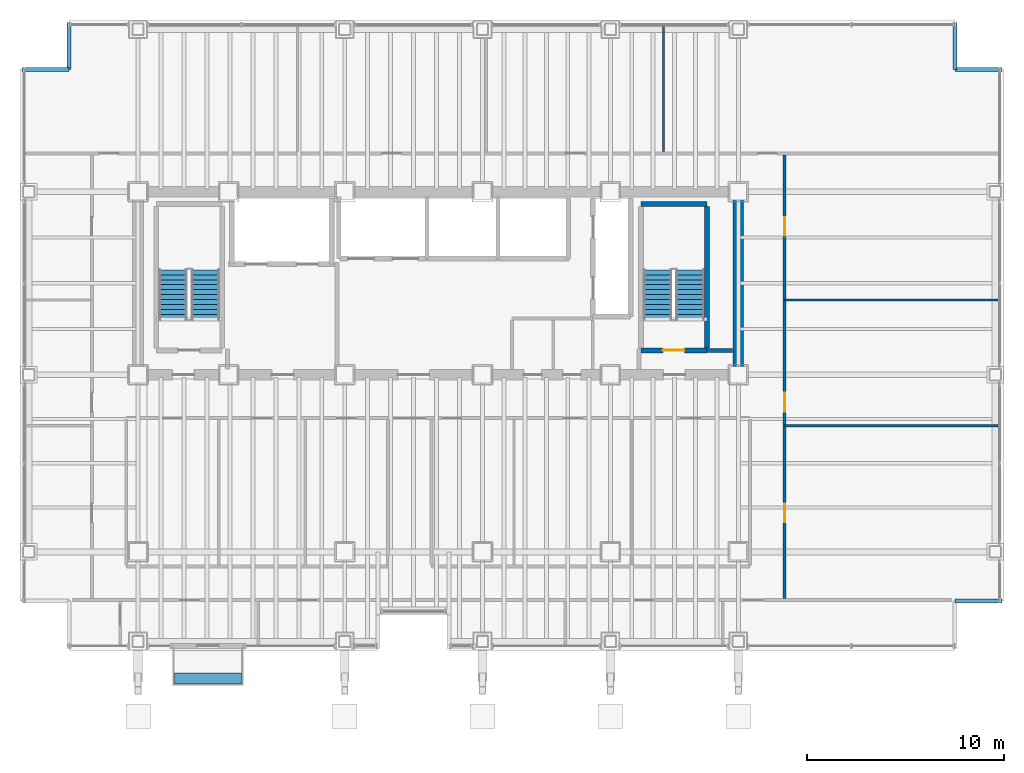
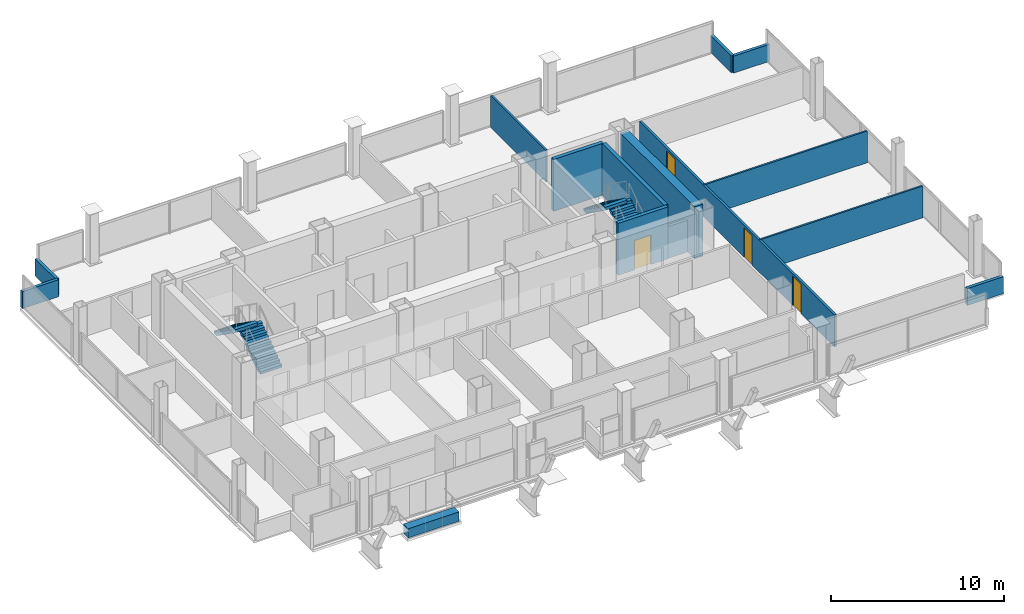
# One storey, part 20 of 21: 14 walls, 4 doors, 4 stair flights, 1 discrete accessory, 4 openings, 2 elements without a shape of their own.
"""IFC4 building model written with IfcOpenShell, lengths in metres."""

from ifc_helpers import new_model, si_unit, direction, frame, frame_2d, origin, origin_2d, place, context, subcontext, project, spatial, polyline, rectangle, outline, extrude, material, layer, layer_set, type_object, element, fill, aggregate, save


model = new_model("IFC4")

# Units and contexts
model_context = context("Model", 3, precision=1e-05, world=origin(), true_north=direction((0.0, 1.0)))
body_context = subcontext(model_context, "Body", "Model", "MODEL_VIEW")
ifc_project = project(units=[si_unit("LENGTHUNIT", "METRE"), si_unit("AREAUNIT", "SQUARE_METRE"), si_unit("VOLUMEUNIT", "CUBIC_METRE"), si_unit("PLANEANGLEUNIT", "RADIAN"), si_unit("MASSUNIT", "GRAM", prefix="KILO")], contexts=[model_context])

# Site, building, storey
site_placement = place(None, origin())
site = spatial("IfcSite", under=ifc_project, at=site_placement, CompositionType="ELEMENT")
building_placement = place(site_placement, origin())
building = spatial("IfcBuilding", under=site, at=building_placement, Name="Noeulbin Bourse Tower", CompositionType="ELEMENT")
storey_placement = place(building_placement, frame((0.0, 0.0, 77.199951171875)))
storey = spatial("IfcBuildingStorey", under=building, at=storey_placement, Name="L19", CompositionType="ELEMENT", Elevation=77.199951171875)

# Walls
ifc_material_1 = material(Name="Concrete C60/75", Category="concrete")
ifc_layer_1 = layer(ifc_material_1, 0.550048828125)
ifc_layer_set_1 = layer_set([ifc_layer_1], Name="Concrete C60/75")
wall_type_1 = type_object("IfcWallType", Name="WAL-CORE-550", PredefinedType="SHEAR", material=ifc_layer_set_1)
wall_1_placement = place(storey_placement, frame((44.0, 29.35009765625, 0.0), z_axis=(0.0, 0.0, 1.0), x_axis=(0.0, 1.0, 0.0)))
element("IfcWall", 1, at=wall_1_placement, inside=storey, type_object=wall_type_1, Name="Rear Core East Shear Wall L19", PredefinedType="SHEAR", context=body_context, shape_type="SweptSolid", body=[
    extrude(rectangle(XDim=8.599853515625, YDim=0.550048828125, at=frame_2d((4.2998046875, 0.0))), origin(), (0.0, 0.0, 1.0), 3.66015625),
])
ifc_material_2 = material(Name="Concrete C40/50", Category="concrete")
ifc_layer_2 = layer(ifc_material_2, 0.199951171875)
ifc_layer_set_2 = layer_set([ifc_layer_2], Name="Concrete C40/50")
wall_type_2 = type_object("IfcWallType", Name="WAL-FIRE-200", PredefinedType="STANDARD", material=ifc_layer_set_2)
wall_2_placement = place(storey_placement, frame((42.39990234375, 30.239990234375, 0.0), z_axis=(0.0, 0.0, 1.0), x_axis=(1.0, 0.0, 0.0)))
element("IfcWall", 2, at=wall_2_placement, inside=storey, type_object=wall_type_2, Name="Interior Partition Wall L19-01", PredefinedType="STANDARD", context=body_context, shape_type="SweptSolid", body=[
    extrude(rectangle(XDim=1.315185546875, YDim=0.199951171875, at=frame_2d((0.65771484375, 0.0))), origin(), (0.0, 0.0, 1.0), 2.239990234375),
])
ifc_layer_3 = layer(ifc_material_2, 0.199951171875)
ifc_layer_set_3 = layer_set([ifc_layer_3], Name="Concrete C40/50")
wall_type_3 = type_object("IfcWallType", Name="WAL-PAR-200", PredefinedType="PARAPET", material=ifc_layer_set_3)
for number, where, z_axis, x_axis, name in (
    (3, (55.0, 17.5, 0.0), (0.0, 0.0, 1.0), (1.0, 0.0, 0.0), "Corner Notch Parapet L19-SE2"),
    (4, (7.60009765625, 44.5, 0.0), (0.0, 0.0, 1.0), (1.0, 0.0, 0.0), "Corner Notch Parapet L19-NW1"),
    (5, (10.0, 44.5, 0.0), (0.0, 0.0, 1.0), (0.0, 1.0, 0.0), "Corner Notch Parapet L19-NW2"),
    (6, (55.0, 46.89990234375, 0.0), (0.0, 0.0, 1.0), (0.0, -1.0, 0.0), "Corner Notch Parapet L19-NE1"),
    (7, (55.0, 44.5, 0.0), (0.0, 0.0, 1.0), (1.0, 0.0, 0.0), "Corner Notch Parapet L19-NE2"),
):
    element("IfcWall", number, at=place(storey_placement, frame(where, z_axis=z_axis, x_axis=x_axis)), inside=storey, type_object=wall_type_3, Name=name, PredefinedType="PARAPET", context=body_context, shape_type="SweptSolid", body=[
        extrude(rectangle(XDim=2.39990234375, YDim=0.199951171875, at=frame_2d((1.199951171875, 0.0))), origin(), (0.0, 0.0, 1.0), 1.199951171875),
    ])
ifc_material_3 = material(Name="Steel Stud Gypsum Partition", Category="steel")
ifc_layer_4 = layer(ifc_material_3, 0.1201171875)
ifc_layer_set_4 = layer_set([ifc_layer_4], Name="Steel Stud Gypsum Partition")
wall_type_4 = type_object("IfcWallType", Name="WAL-PRT-120", PredefinedType="PARTITIONING", material=ifc_layer_set_4)
for number, where, z_axis, x_axis, name in (
    (8, (46.35009765625, 26.39990234375, 0.0), (0.0, 0.0, 1.0), (1.0, 0.0, 0.0), "Interior Partition Wall L19-09"),
    (9, (46.35009765625, 32.800048828125, 0.0), (0.0, 0.0, 1.0), (1.0, 0.0, 0.0), "Interior Partition Wall L19-10"),
):
    element("IfcWall", number, at=place(storey_placement, frame(where, z_axis=z_axis, x_axis=x_axis)), inside=storey, type_object=wall_type_4, Name=name, PredefinedType="PARTITIONING", context=body_context, shape_type="SweptSolid", body=[
        extrude(rectangle(XDim=10.83984375, YDim=0.1201171875, at=frame_2d((5.419921875, 0.0))), origin(), (0.0, 0.0, 1.0), 2.239990234375),
    ])
wall_3_placement = place(storey_placement, frame((40.199951171875, 40.3349609375, 0.0), z_axis=(0.0, 0.0, 1.0), x_axis=(0.0, 1.0, 0.0)))
element("IfcWall", 10, at=wall_3_placement, inside=storey, type_object=wall_type_4, Name="Interior Partition Wall L19-34", PredefinedType="PARTITIONING", context=body_context, shape_type="SweptSolid", body=[
    extrude(rectangle(XDim=6.35498046875, YDim=0.1201171875, at=frame_2d((3.177490234375, 0.0))), origin(), (0.0, 0.0, 1.0), 2.239990234375),
])

# Wall, openings, doors
ifc_material_4 = material(Name="Steel Stud Acoustic Gypsum Board", Category="steel")
ifc_layer_5 = layer(ifc_material_4, 0.14990234375)
ifc_layer_set_5 = layer_set([ifc_layer_5], Name="Steel Stud Acoustic Gypsum Board")
wall_type_5 = type_object("IfcWallType", Name="WAL-PRT-150", PredefinedType="PARTITIONING", material=ifc_layer_set_5)
wall_4_placement = place(storey_placement, frame((46.35009765625, 17.635009765625, 0.0), z_axis=(0.0, 0.0, 1.0), x_axis=(0.0, 1.0, 0.0)))
wall_4 = element("IfcWall", 11, at=wall_4_placement, inside=storey, type_object=wall_type_5, Name="Interior Partition Wall L19-22", PredefinedType="PARTITIONING", context=body_context, shape_type="SweptSolid", body=[
    extrude(rectangle(XDim=22.530029296875, YDim=0.14990234375, at=frame_2d((11.26513671875, 0.0))), origin(), (0.0, 0.0, 1.0), 2.239990234375),
])
opening_1_placement = place(wall_4_placement, frame((3.864990234375, 0.0, 0.0)))
opening_1 = element("IfcOpeningElement", 12, at=opening_1_placement, cuts=wall_4, Name="Opening ID-09", PredefinedType="OPENING", context=body_context, shape_type="SweptSolid", body=[
    extrude(rectangle(XDim=0.949951171875, YDim=2.080078125, at=frame_2d((0.47509765625, 1.0400390625))), frame((0.0, 0.0849609375, 0.0), z_axis=(0.0, -1.0, 0.0), x_axis=(1.0, 0.0, 0.0)), (0.0, 0.0, 1.0), 0.169921875),
])
opening_2_placement = place(wall_4_placement, frame((9.489990234375, 0.0, 0.0)))
opening_2 = element("IfcOpeningElement", 13, at=opening_2_placement, cuts=wall_4, Name="Opening ID-09", PredefinedType="OPENING", context=body_context, shape_type="SweptSolid", body=[
    extrude(rectangle(XDim=0.949951171875, YDim=2.080078125, at=frame_2d((0.47509765625, 1.0400390625))), frame((0.0, 0.0849609375, 0.0), z_axis=(0.0, -1.0, 0.0), x_axis=(1.0, 0.0, 0.0)), (0.0, 0.0, 1.0), 0.169921875),
])
opening_3_placement = place(wall_4_placement, frame((18.4150390625, 0.0, 0.0)))
opening_3 = element("IfcOpeningElement", 14, at=opening_3_placement, cuts=wall_4, Name="Opening ID-09", PredefinedType="OPENING", context=body_context, shape_type="SweptSolid", body=[
    extrude(rectangle(XDim=0.949951171875, YDim=2.080078125, at=frame_2d((0.47509765625, 1.0400390625))), frame((0.0, 0.0849609375, 0.0), z_axis=(0.0, -1.0, 0.0), x_axis=(1.0, 0.0, 0.0)), (0.0, 0.0, 1.0), 0.169921875),
])
ifc_material_5 = material(Name="Acoustic Solid-Core Timber", Category="wood")
door_type_1 = type_object("IfcDoorType", Name="DR-SINGLE-950", OperationType="SINGLE_SWING_LEFT", PredefinedType="DOOR", material=ifc_material_5)
door_1_placement = place(opening_1_placement, origin())
door_1 = element("IfcDoor", 15, at=door_1_placement, inside=storey, type_object=door_type_1, Name="Interior Door L19-22", OperationType="SINGLE_SWING_RIGHT", OverallHeight=2.080078125, OverallWidth=0.949951171875, PredefinedType="DOOR", context=body_context, shape_type="SweptSolid", body=[
    extrude(rectangle(XDim=0.949951171875, YDim=2.080078125, at=frame_2d((0.47509765625, 1.0400390625))), frame((0.0, 0.02490234375, 0.0), z_axis=(0.0, -1.0, 0.0), x_axis=(1.0, 0.0, 0.0)), (0.0, 0.0, 1.0), 0.050048828125),
])
fill(opening_1, door_1)
door_2_placement = place(opening_2_placement, origin())
door_2 = element("IfcDoor", 16, at=door_2_placement, inside=storey, type_object=door_type_1, Name="Interior Door L19-23", OperationType="SINGLE_SWING_LEFT", OverallHeight=2.080078125, OverallWidth=0.949951171875, PredefinedType="DOOR", context=body_context, shape_type="SweptSolid", body=[
    extrude(rectangle(XDim=0.949951171875, YDim=2.080078125, at=frame_2d((0.47509765625, 1.0400390625))), frame((0.0, 0.02490234375, 0.0), z_axis=(0.0, -1.0, 0.0), x_axis=(1.0, 0.0, 0.0)), (0.0, 0.0, 1.0), 0.050048828125),
])
fill(opening_2, door_2)
door_3_placement = place(opening_3_placement, origin())
door_3 = element("IfcDoor", 17, at=door_3_placement, inside=storey, type_object=door_type_1, Name="Interior Door L19-24", OperationType="SINGLE_SWING_RIGHT", OverallHeight=2.080078125, OverallWidth=0.949951171875, PredefinedType="DOOR", context=body_context, shape_type="SweptSolid", body=[
    extrude(rectangle(XDim=0.949951171875, YDim=2.080078125, at=frame_2d((0.47509765625, 1.0400390625))), frame((0.0, 0.02490234375, 0.0), z_axis=(0.0, -1.0, 0.0), x_axis=(1.0, 0.0, 0.0)), (0.0, 0.0, 1.0), 0.050048828125),
])
fill(opening_3, door_3)

# Wall, opening, door
ifc_layer_6 = layer(ifc_material_2, 0.25)
ifc_layer_set_6 = layer_set([ifc_layer_6], Name="Concrete C40/50")
wall_type_6 = type_object("IfcWallType", Name="WAL-SHFT-250", PredefinedType="STANDARD", material=ifc_layer_set_6)
wall_5_placement = place(storey_placement, frame((39.06005859375, 30.235107421875, 0.0), z_axis=(0.0, 0.0, 1.0), x_axis=(1.0, 0.0, 0.0)))
wall_5 = element("IfcWall", 18, at=wall_5_placement, inside=storey, type_object=wall_type_6, Name="Stair ST-2 South Shaft Wall L19", PredefinedType="STANDARD", context=body_context, shape_type="SweptSolid", body=[
    extrude(rectangle(XDim=3.33984375, YDim=0.25, at=frame_2d((1.669921875, 0.0))), origin(), (0.0, 0.0, 1.0), 3.66015625),
])
opening_4_placement = place(wall_5_placement, frame((1.10009765625, 0.0, 0.0)))
opening_4 = element("IfcOpeningElement", 19, at=opening_4_placement, cuts=wall_5, Name="Opening FD-11", PredefinedType="OPENING", context=body_context, shape_type="SweptSolid", body=[
    extrude(rectangle(XDim=1.10009765625, YDim=2.080078125, at=frame_2d((0.550048828125, 1.0400390625))), frame((0.0, 0.135009765625, 0.0), z_axis=(0.0, -1.0, 0.0), x_axis=(1.0, 0.0, 0.0)), (0.0, 0.0, 1.0), 0.27001953125),
])
ifc_material_6 = material(Name="Fire-Rated Insulated Steel", Category="steel")
door_type_2 = type_object("IfcDoorType", Name="DR-FD60-1100", OperationType="SINGLE_SWING_LEFT", PredefinedType="DOOR", material=ifc_material_6)
door_4_placement = place(opening_4_placement, origin())
door_4 = element("IfcDoor", 20, at=door_4_placement, inside=storey, type_object=door_type_2, Name="Protected Stair Entry Door ST2-L19", OperationType="SINGLE_SWING_RIGHT", OverallHeight=2.080078125, OverallWidth=1.10009765625, PredefinedType="DOOR", context=body_context, shape_type="SweptSolid", body=[
    extrude(rectangle(XDim=1.10009765625, YDim=2.080078125, at=frame_2d((0.550048828125, 1.0400390625))), frame((0.0, 0.02490234375, 0.0), z_axis=(0.0, -1.0, 0.0), x_axis=(1.0, 0.0, 0.0)), (0.0, 0.0, 1.0), 0.050048828125),
])
fill(opening_4, door_4)

# Walls
wall_6_placement = place(storey_placement, frame((39.06005859375, 37.6689453125, 0.0), z_axis=(0.0, 0.0, 1.0), x_axis=(1.0, 0.0, 0.0)))
element("IfcWall", 21, at=wall_6_placement, inside=storey, type_object=wall_type_6, Name="Stair ST-2 North Shaft Wall L19", PredefinedType="STANDARD", context=body_context, shape_type="SweptSolid", body=[
    extrude(rectangle(XDim=3.33984375, YDim=0.25, at=frame_2d((1.669921875, 0.0))), origin(), (0.0, 0.0, 1.0), 3.66015625),
])
wall_7_placement = place(storey_placement, frame((42.405029296875, 30.360107421875, 0.0), z_axis=(0.0, 0.0, 1.0), x_axis=(0.0, 1.0, 0.0)))
element("IfcWall", 22, at=wall_7_placement, inside=storey, type_object=wall_type_6, Name="Stair ST-2 East Shaft Wall L19", PredefinedType="STANDARD", context=body_context, shape_type="SweptSolid", body=[
    extrude(rectangle(XDim=7.183837890625, YDim=0.25, at=frame_2d((3.591796875, 0.0))), origin(), (0.0, 0.0, 1.0), 3.66015625),
])

# Stair, stair flights
stair_type = type_object("IfcStairType", Name="STR-CORE-1560", PredefinedType="HALF_TURN_STAIR", material=ifc_material_2)
stair_1_placement = place(storey_placement, origin())
stair_1 = element("IfcStair", 23, at=stair_1_placement, inside=storey, type_object=stair_type, Name="L19 ST-1", PredefinedType="HALF_TURN_STAIR")
stair_flight_type = type_object("IfcStairFlightType", Name="SFL-CORE-1560", PredefinedType="STRAIGHT", material=ifc_material_2)
stair_flight_1_placement = place(storey_placement, frame((16.925048828125, 31.81005859375, 0.0), z_axis=(0.0, 0.0, 1.0), x_axis=(0.0, 1.0, 0.0)))
stair_flight_1 = element("IfcStairFlight", 24, at=stair_flight_1_placement, type_object=stair_flight_type, Name="ST-1 flight 1", NumberOfRisers=11, NumberOfTreads=10, PredefinedType="STRAIGHT", RiserHeight=0.177272727, TreadLength=0.252, context=body_context, shape_type="SweptSolid", body=[
    extrude(outline(polyline([(0.0, 0.0), (0.0, 0.17724609375), (0.251953125, 0.17724609375), (0.251953125, 0.3544921875), (0.50390625, 0.3544921875), (0.50390625, 0.53173828125), (0.756103515625, 0.53173828125), (0.756103515625, 0.708984375), (1.008056640625, 0.708984375), (1.008056640625, 0.886474609375), (1.260009765625, 0.886474609375), (1.260009765625, 1.063720703125), (1.511962890625, 1.063720703125), (1.511962890625, 1.240966796875), (1.763916015625, 1.240966796875), (1.763916015625, 1.418212890625), (2.01611328125, 1.418212890625), (2.01611328125, 1.595458984375), (2.26806640625, 1.595458984375), (2.26806640625, 1.772705078125), (2.52001953125, 1.772705078125), (2.52001953125, 1.949951171875), (2.52001953125, 1.552734375), (0.312744140625, 0.0), (0.0, 0.0)])), frame((0.0, 0.72509765625, 0.0), z_axis=(0.0, -1.0, 0.0), x_axis=(1.0, 0.0, 0.0)), (0.0, 0.0, 1.0), 1.449951171875),
])
stair_flight_2_placement = place(storey_placement, frame((15.27490234375, 34.330078125, 1.949951171875), z_axis=(0.0, 0.0, 1.0), x_axis=(0.0, -1.0, 0.0)))
stair_flight_2 = element("IfcStairFlight", 25, at=stair_flight_2_placement, type_object=stair_flight_type, Name="ST-1 flight 2", NumberOfRisers=11, NumberOfTreads=10, PredefinedType="STRAIGHT", RiserHeight=0.177272727, TreadLength=0.252, context=body_context, shape_type="SweptSolid", body=[
    extrude(outline(polyline([(0.0, 0.0), (0.0, 0.17724609375), (0.251953125, 0.17724609375), (0.251953125, 0.3544921875), (0.50390625, 0.3544921875), (0.50390625, 0.53173828125), (0.756103515625, 0.53173828125), (0.756103515625, 0.708984375), (1.008056640625, 0.708984375), (1.008056640625, 0.886474609375), (1.260009765625, 0.886474609375), (1.260009765625, 1.063720703125), (1.511962890625, 1.063720703125), (1.511962890625, 1.240966796875), (1.763916015625, 1.240966796875), (1.763916015625, 1.418212890625), (2.01611328125, 1.418212890625), (2.01611328125, 1.595458984375), (2.26806640625, 1.595458984375), (2.26806640625, 1.772705078125), (2.52001953125, 1.772705078125), (2.52001953125, 1.949951171875), (2.52001953125, 1.552734375), (0.312744140625, 0.0), (0.0, 0.0)])), frame((0.0, 0.72509765625, 0.0), z_axis=(0.0, -1.0, 0.0), x_axis=(1.0, 0.0, 0.0)), (0.0, 0.0, 1.0), 1.449951171875),
])
aggregate(stair_1, [stair_flight_1, stair_flight_2])

stair_2_placement = place(storey_placement, origin())
stair_2 = element("IfcStair", 26, at=stair_2_placement, inside=storey, type_object=stair_type, Name="L19 ST-2", PredefinedType="HALF_TURN_STAIR")
stair_flight_3_placement = place(storey_placement, frame((41.554931640625, 31.81005859375, 0.0), z_axis=(0.0, 0.0, 1.0), x_axis=(0.0, 1.0, 0.0)))
stair_flight_3 = element("IfcStairFlight", 27, at=stair_flight_3_placement, type_object=stair_flight_type, Name="ST-2 flight 1", NumberOfRisers=11, NumberOfTreads=10, PredefinedType="STRAIGHT", RiserHeight=0.177272727, TreadLength=0.252, context=body_context, shape_type="SweptSolid", body=[
    extrude(outline(polyline([(0.0, 0.0), (0.0, 0.17724609375), (0.251953125, 0.17724609375), (0.251953125, 0.3544921875), (0.50390625, 0.3544921875), (0.50390625, 0.53173828125), (0.756103515625, 0.53173828125), (0.756103515625, 0.708984375), (1.008056640625, 0.708984375), (1.008056640625, 0.886474609375), (1.260009765625, 0.886474609375), (1.260009765625, 1.063720703125), (1.511962890625, 1.063720703125), (1.511962890625, 1.240966796875), (1.763916015625, 1.240966796875), (1.763916015625, 1.418212890625), (2.01611328125, 1.418212890625), (2.01611328125, 1.595458984375), (2.26806640625, 1.595458984375), (2.26806640625, 1.772705078125), (2.52001953125, 1.772705078125), (2.52001953125, 1.949951171875), (2.52001953125, 1.552734375), (0.312744140625, 0.0), (0.0, 0.0)])), frame((0.0, 0.72509765625, 0.0), z_axis=(0.0, -1.0, 0.0), x_axis=(1.0, 0.0, 0.0)), (0.0, 0.0, 1.0), 1.449951171875),
])
stair_flight_4_placement = place(storey_placement, frame((39.905029296875, 34.330078125, 1.949951171875), z_axis=(0.0, 0.0, 1.0), x_axis=(0.0, -1.0, 0.0)))
stair_flight_4 = element("IfcStairFlight", 28, at=stair_flight_4_placement, type_object=stair_flight_type, Name="ST-2 flight 2", NumberOfRisers=11, NumberOfTreads=10, PredefinedType="STRAIGHT", RiserHeight=0.177272727, TreadLength=0.252, context=body_context, shape_type="SweptSolid", body=[
    extrude(outline(polyline([(0.0, 0.0), (0.0, 0.17724609375), (0.251953125, 0.17724609375), (0.251953125, 0.3544921875), (0.50390625, 0.3544921875), (0.50390625, 0.53173828125), (0.756103515625, 0.53173828125), (0.756103515625, 0.708984375), (1.008056640625, 0.708984375), (1.008056640625, 0.886474609375), (1.260009765625, 0.886474609375), (1.260009765625, 1.063720703125), (1.511962890625, 1.063720703125), (1.511962890625, 1.240966796875), (1.763916015625, 1.240966796875), (1.763916015625, 1.418212890625), (2.01611328125, 1.418212890625), (2.01611328125, 1.595458984375), (2.26806640625, 1.595458984375), (2.26806640625, 1.772705078125), (2.52001953125, 1.772705078125), (2.52001953125, 1.949951171875), (2.52001953125, 1.552734375), (0.312744140625, 0.0), (0.0, 0.0)])), frame((0.0, 0.72509765625, 0.0), z_axis=(0.0, -1.0, 0.0), x_axis=(1.0, 0.0, 0.0)), (0.0, 0.0, 1.0), 1.449951171875),
])
aggregate(stair_2, [stair_flight_3, stair_flight_4])

# Discrete accessory
ifc_material_7 = material(Name="Architectural GFRC Concrete C40/50", Category="concrete")
ifc_layer_7 = layer(ifc_material_7, 0.64990234375)
ifc_layer_set_7 = layer_set([ifc_layer_7], Name="Architectural GFRC Concrete C40/50")
discrete_accessory_type = type_object("IfcDiscreteAccessoryType", Name="PLANTER-BOX-3600", PredefinedType="USERDEFINED", material=ifc_layer_set_7)
discrete_accessory_placement = place(storey_placement, frame((17.050048828125, 13.56005859375, 0.0), z_axis=(0.0, 0.0, 1.0), x_axis=(1.0, 0.0, 0.0)))
element("IfcDiscreteAccessory", 29, at=discrete_accessory_placement, inside=storey, type_object=discrete_accessory_type, Name="Integrated Balcony Tree Planter Box L19", ObjectType="PLANTER", PredefinedType="USERDEFINED", context=body_context, shape_type="SweptSolid", body=[
    extrude(rectangle(XDim=3.39990234375, YDim=0.550048828125, at=origin_2d()), origin(), (0.0, 0.0, 1.0), 0.64990234375),
])

save(model, "model.ifc")
